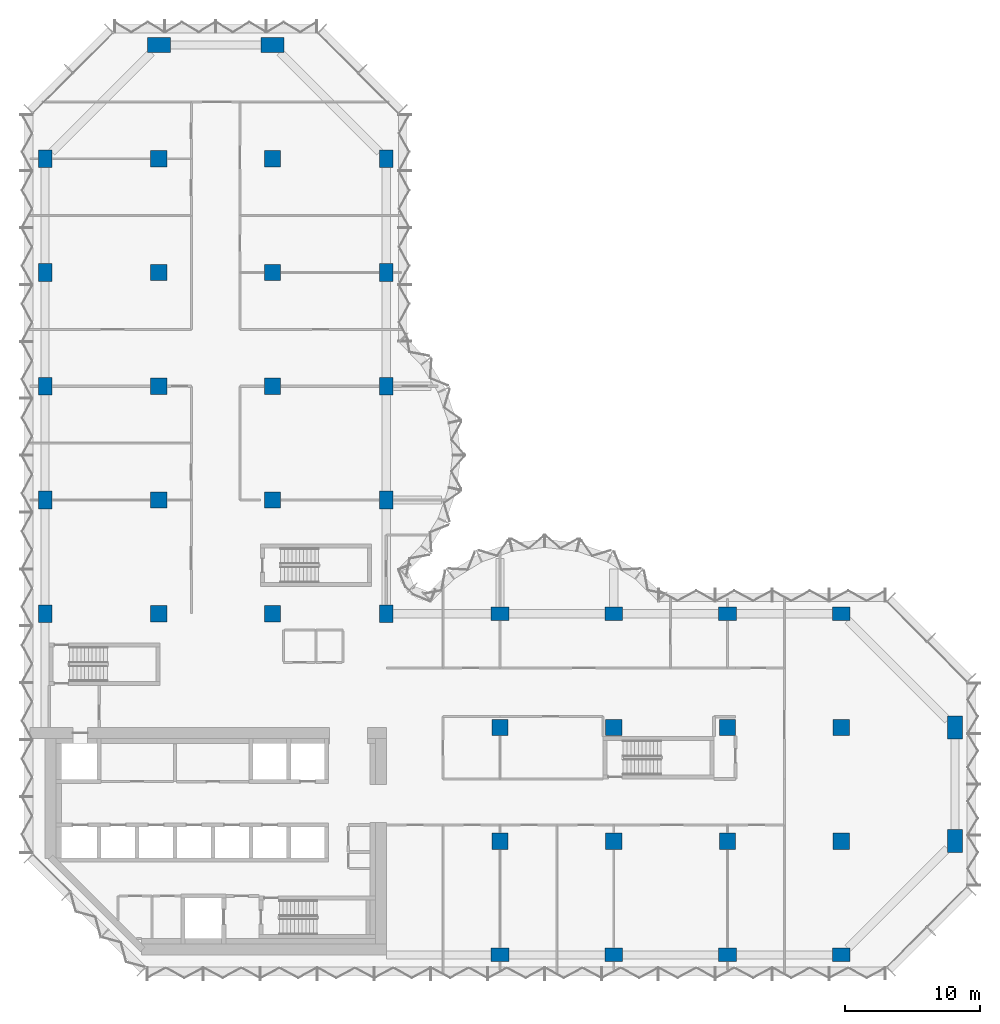
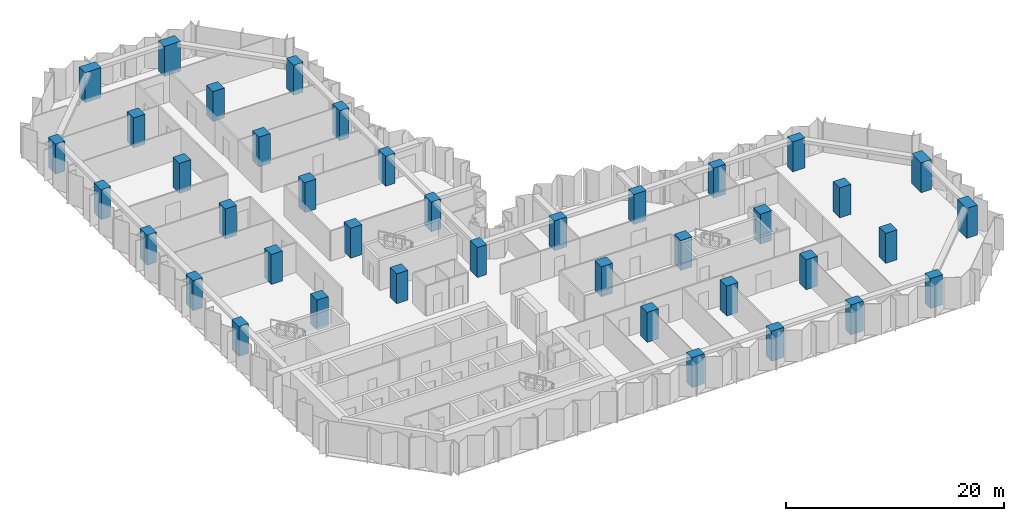
# One storey, part 1 of 13: 40 columns.
"""IFC4 building model written with IfcOpenShell, lengths in metres."""

from ifc_helpers import new_model, si_unit, direction, frame, origin, origin_2d, place, context, subcontext, project, spatial, rectangle, extrude, material, material_profile, profile_set, type_object, element, save


model = new_model("IFC4")

# Units and contexts
model_context = context("Model", 3, precision=1e-05, world=origin(), true_north=direction((0.0, 1.0)))
body_context = subcontext(model_context, "Body", "Model", "MODEL_VIEW")
ifc_project = project(units=[si_unit("LENGTHUNIT", "METRE"), si_unit("AREAUNIT", "SQUARE_METRE"), si_unit("VOLUMEUNIT", "CUBIC_METRE"), si_unit("PLANEANGLEUNIT", "RADIAN"), si_unit("MASSUNIT", "GRAM", prefix="KILO")], contexts=[model_context])

# Site, building, storey
site_placement = place(None, origin())
site = spatial("IfcSite", under=ifc_project, at=site_placement, CompositionType="ELEMENT")
building_placement = place(site_placement, origin())
building = spatial("IfcBuilding", under=site, at=building_placement, Name="Brevane Broadcast Tower", CompositionType="ELEMENT")
storey_placement = place(building_placement, frame((0.0, 0.0, 124.10009765625)))
storey = spatial("IfcBuildingStorey", under=building, at=storey_placement, Name="L30", CompositionType="ELEMENT", Elevation=124.10009765625)

# Columns
ifc_material = material(Name="Concrete C60/75", Category="concrete")
ifc_material_profile_1 = material_profile(ifc_material, rectangle(XDim=1.0, YDim=1.300048828125, at=origin_2d()), Name="RC 1000x1300")
ifc_profile_set_1 = profile_set([ifc_material_profile_1], Name="Concrete C60/75")
column_type_1 = type_object("IfcColumnType", Name="RC COLUMN EDGE 1000x1300 C60/75", PredefinedType="COLUMN", material=ifc_profile_set_1)
for number, where, z_axis, x_axis, name in (
    (1, (0.0, 25.199951171875, 0.0), (0.0, 0.0, 1.0), (1.0, 0.0, 0.0), "CE8 1/D"),
    (2, (0.0, 33.60009765625, 0.0), (0.0, 0.0, 1.0), (1.0, 0.0, 0.0), "CE8 1/E"),
    (3, (0.0, 42.0, 0.0), (0.0, 0.0, 1.0), (1.0, 0.0, 0.0), "CE8 1/F"),
    (4, (0.0, 50.39990234375, 0.0), (0.0, 0.0, 1.0), (1.0, 0.0, 0.0), "CE8 1/G"),
    (5, (0.0, 58.800048828125, 0.0), (0.0, 0.0, 1.0), (1.0, 0.0, 0.0), "CE8 1/H"),
    (6, (25.199951171875, 25.199951171875, 0.0), (0.0, 0.0, 1.0), (1.0, 0.0, 0.0), "CE8 4/D"),
    (7, (25.199951171875, 33.60009765625, 0.0), (0.0, 0.0, 1.0), (1.0, 0.0, 0.0), "CE8 4/E"),
    (8, (25.199951171875, 42.0, 0.0), (0.0, 0.0, 1.0), (1.0, 0.0, 0.0), "CE8 4/F"),
    (9, (25.199951171875, 50.39990234375, 0.0), (0.0, 0.0, 1.0), (1.0, 0.0, 0.0), "CE8 4/G"),
    (10, (25.199951171875, 58.800048828125, 0.0), (0.0, 0.0, 1.0), (1.0, 0.0, 0.0), "CE8 4/H"),
    (11, (33.60009765625, 0.0, 0.0), (0.0, 0.0, 1.0), (0.0, 1.0, 0.0), "CE8 5/A"),
    (12, (33.60009765625, 25.199951171875, 0.0), (0.0, 0.0, 1.0), (0.0, 1.0, 0.0), "CE8 5/D"),
    (13, (42.0, 0.0, 0.0), (0.0, 0.0, 1.0), (0.0, 1.0, 0.0), "CE8 6/A"),
    (14, (42.0, 25.199951171875, 0.0), (0.0, 0.0, 1.0), (0.0, 1.0, 0.0), "CE8 6/D"),
    (15, (50.39990234375, 0.0, 0.0), (0.0, 0.0, 1.0), (0.0, 1.0, 0.0), "CE8 7/A"),
    (16, (50.39990234375, 25.199951171875, 0.0), (0.0, 0.0, 1.0), (0.0, 1.0, 0.0), "CE8 7/D"),
    (17, (58.800048828125, 0.0, 0.0), (0.0, 0.0, 1.0), (0.0, 1.0, 0.0), "CE8 8/A"),
    (18, (58.800048828125, 25.199951171875, 0.0), (0.0, 0.0, 1.0), (0.0, 1.0, 0.0), "CE8 8/D"),
):
    element("IfcColumn", number, at=place(storey_placement, frame(where, z_axis=z_axis, x_axis=x_axis)), inside=storey, type_object=column_type_1, Name=name, PredefinedType="COLUMN", context=body_context, shape_type="SweptSolid", body=[
        extrude(rectangle(XDim=1.0, YDim=1.300048828125, at=origin_2d()), origin(), (0.0, 0.0, 1.0), 3.349853515625),
    ])
ifc_material_profile_2 = material_profile(ifc_material, rectangle(XDim=1.199951171875, YDim=1.199951171875, at=origin_2d()), Name="RC 1200x1200")
ifc_profile_set_2 = profile_set([ifc_material_profile_2], Name="Concrete C60/75")
column_type_2 = type_object("IfcColumnType", Name="RC COLUMN INTERIOR 1200x1200 C60/75", PredefinedType="COLUMN", material=ifc_profile_set_2)
for number, where, z_axis, x_axis, name in (
    (19, (8.39990234375, 25.199951171875, 0.0), (0.0, 0.0, 1.0), (1.0, 0.0, 0.0), "CI9 2/D"),
    (20, (8.39990234375, 33.60009765625, 0.0), (0.0, 0.0, 1.0), (1.0, 0.0, 0.0), "CI9 2/E"),
    (21, (8.39990234375, 42.0, 0.0), (0.0, 0.0, 1.0), (1.0, 0.0, 0.0), "CI9 2/F"),
    (22, (8.39990234375, 50.39990234375, 0.0), (0.0, 0.0, 1.0), (1.0, 0.0, 0.0), "CI9 2/G"),
    (23, (8.39990234375, 58.800048828125, 0.0), (0.0, 0.0, 1.0), (1.0, 0.0, 0.0), "CI9 2/H"),
    (24, (16.800048828125, 25.199951171875, 0.0), (0.0, 0.0, 1.0), (1.0, 0.0, 0.0), "CI9 3/D"),
    (25, (16.800048828125, 33.60009765625, 0.0), (0.0, 0.0, 1.0), (1.0, 0.0, 0.0), "CI9 3/E"),
    (26, (16.800048828125, 42.0, 0.0), (0.0, 0.0, 1.0), (1.0, 0.0, 0.0), "CI9 3/F"),
    (27, (16.800048828125, 50.39990234375, 0.0), (0.0, 0.0, 1.0), (1.0, 0.0, 0.0), "CI9 3/G"),
    (28, (16.800048828125, 58.800048828125, 0.0), (0.0, 0.0, 1.0), (1.0, 0.0, 0.0), "CI9 3/H"),
    (29, (33.60009765625, 8.39990234375, 0.0), (0.0, 0.0, 1.0), (1.0, 0.0, 0.0), "CI9 5/B"),
    (30, (33.60009765625, 16.800048828125, 0.0), (0.0, 0.0, 1.0), (1.0, 0.0, 0.0), "CI9 5/C"),
    (31, (42.0, 8.39990234375, 0.0), (0.0, 0.0, 1.0), (1.0, 0.0, 0.0), "CI9 6/B"),
    (32, (42.0, 16.800048828125, 0.0), (0.0, 0.0, 1.0), (1.0, 0.0, 0.0), "CI9 6/C"),
    (33, (50.39990234375, 8.39990234375, 0.0), (0.0, 0.0, 1.0), (1.0, 0.0, 0.0), "CI9 7/B"),
    (34, (50.39990234375, 16.800048828125, 0.0), (0.0, 0.0, 1.0), (1.0, 0.0, 0.0), "CI9 7/C"),
    (35, (58.800048828125, 8.39990234375, 0.0), (0.0, 0.0, 1.0), (1.0, 0.0, 0.0), "CI9 8/B"),
    (36, (58.800048828125, 16.800048828125, 0.0), (0.0, 0.0, 1.0), (1.0, 0.0, 0.0), "CI9 8/C"),
):
    element("IfcColumn", number, at=place(storey_placement, frame(where, z_axis=z_axis, x_axis=x_axis)), inside=storey, type_object=column_type_2, Name=name, PredefinedType="COLUMN", context=body_context, shape_type="SweptSolid", body=[
        extrude(rectangle(XDim=1.199951171875, YDim=1.199951171875, at=origin_2d()), origin(), (0.0, 0.0, 1.0), 3.349853515625),
    ])
ifc_material_profile_3 = material_profile(ifc_material, rectangle(XDim=1.10009765625, YDim=1.699951171875, at=origin_2d()), Name="RC 1100x1700")
ifc_profile_set_3 = profile_set([ifc_material_profile_3], Name="Concrete C60/75")
column_type_3 = type_object("IfcColumnType", Name="RC COLUMN WING-END 1100x1700 C60/75", PredefinedType="COLUMN", material=ifc_profile_set_3)
for number, where, z_axis, x_axis, name in (
    (37, (8.39990234375, 67.199951171875, 0.0), (0.0, 0.0, 1.0), (0.0, 1.0, 0.0), "CW10 2/I"),
    (38, (16.800048828125, 67.199951171875, 0.0), (0.0, 0.0, 1.0), (0.0, 1.0, 0.0), "CW10 3/I"),
    (39, (67.199951171875, 8.39990234375, 0.0), (0.0, 0.0, 1.0), (1.0, 0.0, 0.0), "CW10 9/B"),
    (40, (67.199951171875, 16.800048828125, 0.0), (0.0, 0.0, 1.0), (1.0, 0.0, 0.0), "CW10 9/C"),
):
    element("IfcColumn", number, at=place(storey_placement, frame(where, z_axis=z_axis, x_axis=x_axis)), inside=storey, type_object=column_type_3, Name=name, PredefinedType="COLUMN", context=body_context, shape_type="SweptSolid", body=[
        extrude(rectangle(XDim=1.10009765625, YDim=1.699951171875, at=origin_2d()), origin(), (0.0, 0.0, 1.0), 3.349853515625),
    ])

save(model, "model.ifc")
